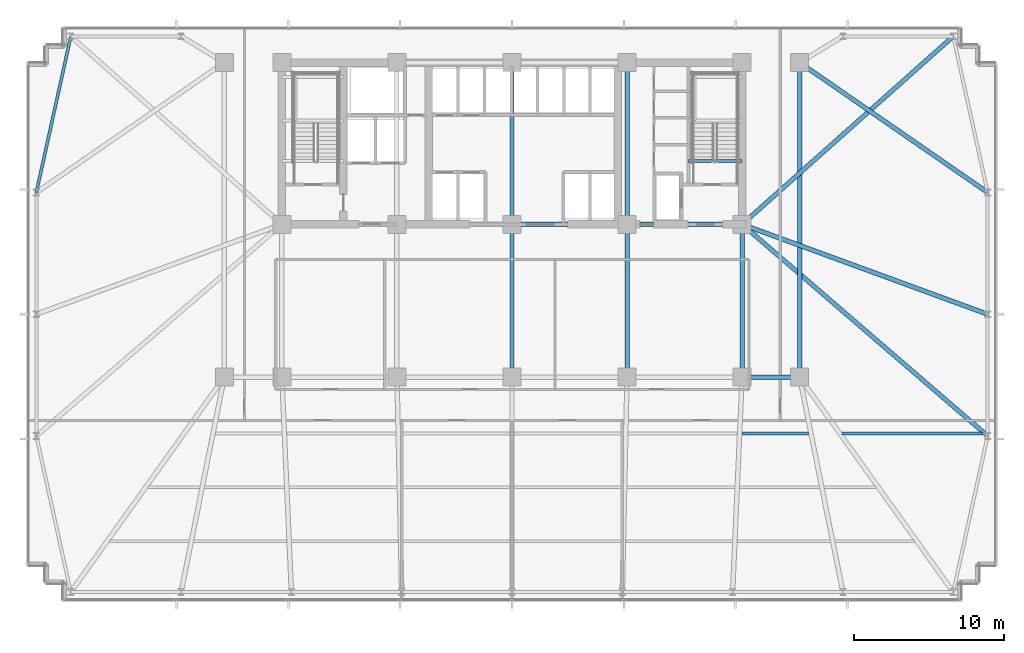
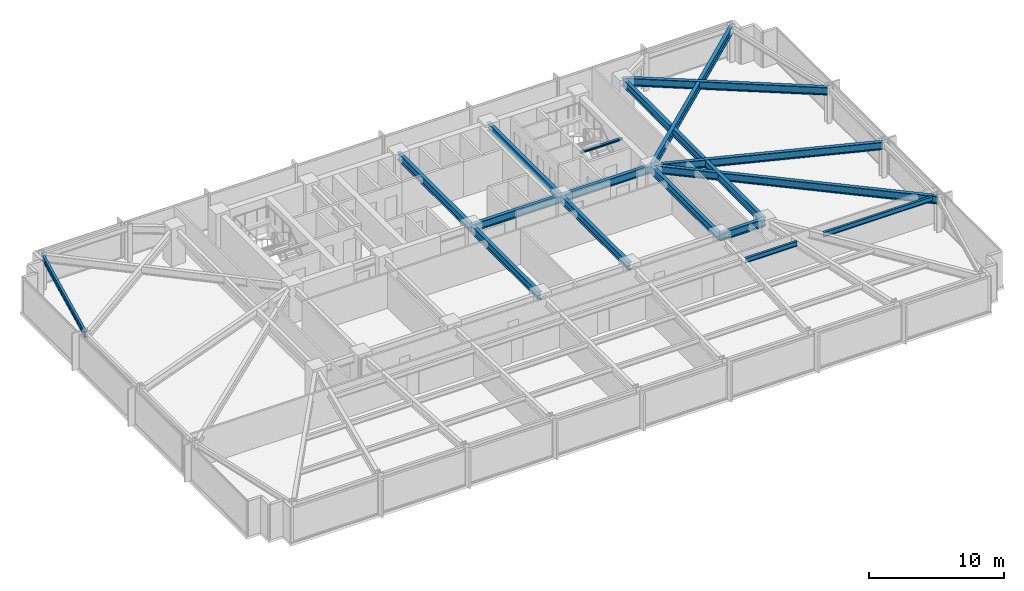
# One storey, part 16 of 32: 17 beams.
"""IFC4 building model written with IfcOpenShell, lengths in metres."""

from ifc_helpers import new_model, si_unit, direction, frame, origin, origin_2d, place, context, subcontext, project, spatial, i_section, extrude, material, material_profile, profile_set, type_object, element, save


model = new_model("IFC4")

# Units and contexts
model_context = context("Model", 3, precision=1e-05, world=origin(), true_north=direction((0.0, 1.0)))
body_context = subcontext(model_context, "Body", "Model", "MODEL_VIEW")
ifc_project = project(units=[si_unit("LENGTHUNIT", "METRE"), si_unit("AREAUNIT", "SQUARE_METRE"), si_unit("VOLUMEUNIT", "CUBIC_METRE"), si_unit("PLANEANGLEUNIT", "RADIAN"), si_unit("MASSUNIT", "GRAM", prefix="KILO")], contexts=[model_context])

# Site, building, storey
site_placement = place(None, origin())
site = spatial("IfcSite", under=ifc_project, at=site_placement, CompositionType="ELEMENT")
building_placement = place(site_placement, origin())
building = spatial("IfcBuilding", under=site, at=building_placement, Name="Yelkora Congress Tower", CompositionType="ELEMENT")
storey_placement = place(building_placement, frame((0.0, 0.0, 50.800048828125)))
storey = spatial("IfcBuildingStorey", under=building, at=storey_placement, Name="L12", CompositionType="ELEMENT", Elevation=50.800048828125)

# Beams
ifc_material = material(Name="Steel S355J2", Category="steel")
ifc_material_profile_1 = material_profile(ifc_material, i_section(OverallWidth=0.300048828125, OverallDepth=0.699951171875, WebThickness=0.01708984375, FlangeThickness=0.031982421875, FilletRadius=0.027099609375, at=origin_2d()), Name="HEB 700")
ifc_profile_set_1 = profile_set([ifc_material_profile_1], Name="Steel S355J2")
beam_type_1 = type_object("IfcBeamType", Name="BM-GIRD-HEB700", PredefinedType="BEAM", material=ifc_profile_set_1)
beam_1_placement = place(storey_placement, frame((53.760009765625, 25.199951171875, 2.829833984375), z_axis=(1.0, 0.0, 0.0), x_axis=(0.0, 1.0, 0.0)))
element("IfcBeam", 1, at=beam_1_placement, inside=storey, type_object=beam_type_1, Name="L12 Spine Grid D Girder 6", PredefinedType="BEAM", context=body_context, shape_type="SweptSolid", body=[
    extrude(i_section(OverallWidth=0.300048828125, OverallDepth=0.699951171875, WebThickness=0.01708984375, FlangeThickness=0.031982421875, FilletRadius=0.027099609375, at=origin_2d()), origin(), (0.0, 0.0, 1.0), 3.840087890625),
])
beam_2_placement = place(storey_placement, frame((38.39990234375, 35.39990234375, 2.829833984375), z_axis=(1.0, 0.0, 0.0), x_axis=(0.0, 1.0, 0.0)))
element("IfcBeam", 2, at=beam_2_placement, inside=storey, type_object=beam_type_1, Name="L12 Core South Girder 3", PredefinedType="BEAM", context=body_context, shape_type="SweptSolid", body=[
    extrude(i_section(OverallWidth=0.300048828125, OverallDepth=0.699951171875, WebThickness=0.01708984375, FlangeThickness=0.031982421875, FilletRadius=0.027099609375, at=origin_2d()), origin(), (0.0, 0.0, 1.0), 7.68017578125),
])
beam_3_placement = place(storey_placement, frame((46.080078125, 35.39990234375, 2.829833984375), z_axis=(1.0, 0.0, 0.0), x_axis=(0.0, 1.0, 0.0)))
element("IfcBeam", 3, at=beam_3_placement, inside=storey, type_object=beam_type_1, Name="L12 Core South Girder 4", PredefinedType="BEAM", context=body_context, shape_type="SweptSolid", body=[
    extrude(i_section(OverallWidth=0.300048828125, OverallDepth=0.699951171875, WebThickness=0.01708984375, FlangeThickness=0.031982421875, FilletRadius=0.027099609375, at=origin_2d()), origin(), (0.0, 0.0, 1.0), 7.679931640625),
])
beam_4_placement = place(storey_placement, frame((38.39990234375, 25.199951171875, 2.829833984375), z_axis=(0.0, 1.0, 0.0), x_axis=(-1.0, 0.0, 0.0)))
element("IfcBeam", 4, at=beam_4_placement, inside=storey, type_object=beam_type_1, Name="L12 Core Tie Girder MC-D3", PredefinedType="BEAM", context=body_context, shape_type="SweptSolid", body=[
    extrude(i_section(OverallWidth=0.300048828125, OverallDepth=0.699951171875, WebThickness=0.01708984375, FlangeThickness=0.031982421875, FilletRadius=0.027099609375, at=origin_2d()), origin(), (0.0, 0.0, 1.0), 10.199951171875),
])
beam_5_placement = place(storey_placement, frame((38.39990234375, 35.39990234375, 2.829833984375), z_axis=(0.0, 1.0, 0.0), x_axis=(-1.0, 0.0, 0.0)))
element("IfcBeam", 5, at=beam_5_placement, inside=storey, type_object=beam_type_1, Name="L12 Core Tie Girder MC-S3", PredefinedType="BEAM", context=body_context, shape_type="SweptSolid", body=[
    extrude(i_section(OverallWidth=0.300048828125, OverallDepth=0.699951171875, WebThickness=0.01708984375, FlangeThickness=0.031982421875, FilletRadius=0.027099609375, at=origin_2d()), origin(), (0.0, 0.0, 1.0), 10.800048828125),
])
beam_6_placement = place(storey_placement, frame((46.080078125, 25.199951171875, 2.829833984375), z_axis=(0.0, 1.0, 0.0), x_axis=(-1.0, 0.0, 0.0)))
element("IfcBeam", 6, at=beam_6_placement, inside=storey, type_object=beam_type_1, Name="L12 Core Tie Girder MC-D4", PredefinedType="BEAM", context=body_context, shape_type="SweptSolid", body=[
    extrude(i_section(OverallWidth=0.300048828125, OverallDepth=0.699951171875, WebThickness=0.01708984375, FlangeThickness=0.031982421875, FilletRadius=0.027099609375, at=origin_2d()), origin(), (0.0, 0.0, 1.0), 10.199951171875),
])
beam_7_placement = place(storey_placement, frame((46.080078125, 35.39990234375, 2.829833984375), z_axis=(0.0, 1.0, 0.0), x_axis=(-1.0, 0.0, 0.0)))
element("IfcBeam", 7, at=beam_7_placement, inside=storey, type_object=beam_type_1, Name="L12 Core Tie Girder MC-S4", PredefinedType="BEAM", context=body_context, shape_type="SweptSolid", body=[
    extrude(i_section(OverallWidth=0.300048828125, OverallDepth=0.699951171875, WebThickness=0.01708984375, FlangeThickness=0.031982421875, FilletRadius=0.027099609375, at=origin_2d()), origin(), (0.0, 0.0, 1.0), 10.800048828125),
])
beam_8_placement = place(storey_placement, frame((53.760009765625, 25.199951171875, 2.829833984375), z_axis=(0.0, 1.0, 0.0), x_axis=(-1.0, 0.0, 0.0)))
element("IfcBeam", 8, at=beam_8_placement, inside=storey, type_object=beam_type_1, Name="L12 Core Tie Girder MC-D5", PredefinedType="BEAM", context=body_context, shape_type="SweptSolid", body=[
    extrude(i_section(OverallWidth=0.300048828125, OverallDepth=0.699951171875, WebThickness=0.01708984375, FlangeThickness=0.031982421875, FilletRadius=0.027099609375, at=origin_2d()), origin(), (0.0, 0.0, 1.0), 10.199951171875),
])
beam_9_placement = place(storey_placement, frame((57.60009765625, 25.199951171875, 2.829833984375), z_axis=(0.0, 1.0, 0.0), x_axis=(-1.0, 0.0, 0.0)))
element("IfcBeam", 9, at=beam_9_placement, inside=storey, type_object=beam_type_1, Name="L12 Neck Flank Girder MC-F2", PredefinedType="BEAM", context=body_context, shape_type="SweptSolid", body=[
    extrude(i_section(OverallWidth=0.300048828125, OverallDepth=0.699951171875, WebThickness=0.01708984375, FlangeThickness=0.031982421875, FilletRadius=0.027099609375, at=origin_2d()), origin(), (0.0, 0.0, 1.0), 21.0),
])
beam_10_placement = place(storey_placement, frame((67.85009765625, 47.949951171875, 2.829833984375), z_axis=(-0.746737189621, -0.665119214605, 0.0), x_axis=(0.665119214605, -0.746737189621, 0.0)))
element("IfcBeam", 10, at=beam_10_placement, inside=storey, type_object=beam_type_1, Name="L12 Primary Frame Girder N09", PredefinedType="BEAM", context=body_context, shape_type="SweptSolid", body=[
    extrude(i_section(OverallWidth=0.300048828125, OverallDepth=0.699951171875, WebThickness=0.01708984375, FlangeThickness=0.031982421875, FilletRadius=0.027099609375, at=origin_2d()), origin(), (0.0, 0.0, 1.0), 18.868896484375),
])
beam_11_placement = place(storey_placement, frame((70.14990234375, 21.27490234375, 2.829833984375), z_axis=(-0.757506357109, 0.652827786586, 0.0), x_axis=(-0.652827786586, -0.757506357109, 0.0)))
element("IfcBeam", 11, at=beam_11_placement, inside=storey, type_object=beam_type_1, Name="L12 Primary Frame Girder E01", PredefinedType="BEAM", context=body_context, shape_type="SweptSolid", body=[
    extrude(i_section(OverallWidth=0.300048828125, OverallDepth=0.699951171875, WebThickness=0.01708984375, FlangeThickness=0.031982421875, FilletRadius=0.027099609375, at=origin_2d()), origin(), (0.0, 0.0, 1.0), 21.63671875),
])
beam_12_placement = place(storey_placement, frame((70.14990234375, 29.39990234375, 2.829833984375), z_axis=(-0.939054471542, 0.343768380567, 0.0), x_axis=(-0.343768380567, -0.939054471542, 0.0)))
element("IfcBeam", 12, at=beam_12_placement, inside=storey, type_object=beam_type_1, Name="L12 Primary Frame Girder E02", PredefinedType="BEAM", context=body_context, shape_type="SweptSolid", body=[
    extrude(i_section(OverallWidth=0.300048828125, OverallDepth=0.699951171875, WebThickness=0.01708984375, FlangeThickness=0.031982421875, FilletRadius=0.027099609375, at=origin_2d()), origin(), (0.0, 0.0, 1.0), 17.45361328125),
])
beam_13_placement = place(storey_placement, frame((70.14990234375, 37.52490234375, 2.829833984375), z_axis=(-0.822599280139, 0.568621512357, 0.0), x_axis=(-0.568621512357, -0.822599280139, 0.0)))
element("IfcBeam", 13, at=beam_13_placement, inside=storey, type_object=beam_type_1, Name="L12 Primary Frame Girder E03", PredefinedType="BEAM", context=body_context, shape_type="SweptSolid", body=[
    extrude(i_section(OverallWidth=0.300048828125, OverallDepth=0.699951171875, WebThickness=0.01708984375, FlangeThickness=0.031982421875, FilletRadius=0.027099609375, at=origin_2d()), origin(), (0.0, 0.0, 1.0), 15.25634765625),
])
ifc_material_profile_2 = material_profile(ifc_material, i_section(OverallWidth=0.18994140625, OverallDepth=0.449951171875, WebThickness=0.009521484375, FlangeThickness=0.0146484375, FilletRadius=0.02099609375, at=origin_2d()), Name="IPE 450")
ifc_profile_set_2 = profile_set([ifc_material_profile_2], Name="Steel S355J2")
beam_type_2 = type_object("IfcBeamType", Name="BM-JOIST-IPE450", PredefinedType="JOIST", material=ifc_profile_set_2)
beam_14_placement = place(storey_placement, frame((53.754150390625, 21.449951171875, 2.954833984375), z_axis=(1.0, 0.0, 0.0), x_axis=(0.0, 1.0, 0.0)))
element("IfcBeam", 14, at=beam_14_placement, inside=storey, type_object=beam_type_2, Name="L12 Composite Floor Joist 22", PredefinedType="JOIST", context=body_context, shape_type="SweptSolid", body=[
    extrude(i_section(OverallWidth=0.18994140625, OverallDepth=0.449951171875, WebThickness=0.009521484375, FlangeThickness=0.0146484375, FilletRadius=0.02099609375, at=origin_2d()), origin(), (0.0, 0.0, 1.0), 4.4404296875),
])
beam_15_placement = place(storey_placement, frame((60.438720703125, 21.449951171875, 2.954833984375), z_axis=(1.0, 0.0, 0.0), x_axis=(0.0, 1.0, 0.0)))
element("IfcBeam", 15, at=beam_15_placement, inside=storey, type_object=beam_type_2, Name="L12 Composite Floor Joist 23", PredefinedType="JOIST", context=body_context, shape_type="SweptSolid", body=[
    extrude(i_section(OverallWidth=0.18994140625, OverallDepth=0.449951171875, WebThickness=0.009521484375, FlangeThickness=0.0146484375, FilletRadius=0.02099609375, at=origin_2d()), origin(), (0.0, 0.0, 1.0), 9.34814453125),
])
ifc_material_profile_3 = material_profile(ifc_material, i_section(OverallWidth=0.199951171875, OverallDepth=0.18994140625, WebThickness=0.006591796875, FlangeThickness=0.010009765625, FilletRadius=0.01806640625, at=origin_2d()), Name="HEA 200")
ifc_profile_set_3 = profile_set([ifc_material_profile_3], Name="Steel S355J2")
beam_type_3 = type_object("IfcBeamType", Name="BM-LAND-HEA200", PredefinedType="BEAM", material=ifc_profile_set_3)
beam_16_placement = place(storey_placement, frame((50.179931640625, 39.639892578125, 2.947265625), z_axis=(1.0, 0.0, 0.0), x_axis=(0.0, 1.0, 0.0)))
element("IfcBeam", 16, at=beam_16_placement, inside=storey, type_object=beam_type_3, Name="ST-02 L12 Floor Arrival Stringer Header Beam", PredefinedType="BEAM", context=body_context, shape_type="SweptSolid", body=[
    extrude(i_section(OverallWidth=0.199951171875, OverallDepth=0.18994140625, WebThickness=0.006591796875, FlangeThickness=0.010009765625, FilletRadius=0.01806640625, at=origin_2d()), origin(), (0.0, 0.0, 1.0), 3.580078125),
])
ifc_material_profile_4 = material_profile(ifc_material, i_section(OverallWidth=0.199951171875, OverallDepth=0.5, WebThickness=0.01025390625, FlangeThickness=0.01611328125, FilletRadius=0.02099609375, at=origin_2d()), Name="IPE 500")
ifc_profile_set_4 = profile_set([ifc_material_profile_4], Name="Steel S355J2")
beam_type_4 = type_object("IfcBeamType", Name="BM-SPAN-IPE500", PredefinedType="SPANDREL", material=ifc_profile_set_4)
beam_17_placement = place(storey_placement, frame((8.949951171875, 47.949951171875, 2.929931640625), z_axis=(-0.215445894778, -0.976515778891, 0.0), x_axis=(0.976515778891, -0.215445894778, 0.0)))
element("IfcBeam", 17, at=beam_17_placement, inside=storey, type_object=beam_type_4, Name="L12 Perimeter Beam 17", PredefinedType="SPANDREL", context=body_context, shape_type="SweptSolid", body=[
    extrude(i_section(OverallWidth=0.199951171875, OverallDepth=0.5, WebThickness=0.01025390625, FlangeThickness=0.01611328125, FilletRadius=0.02099609375, at=origin_2d()), origin(), (0.0, 0.0, 1.0), 10.67578125),
])

save(model, "model.ifc")
